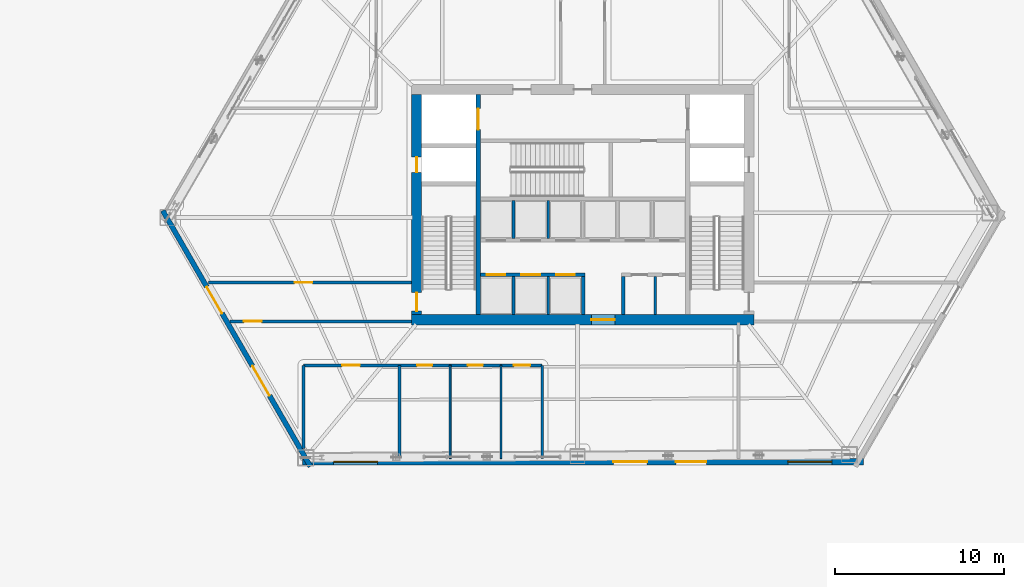
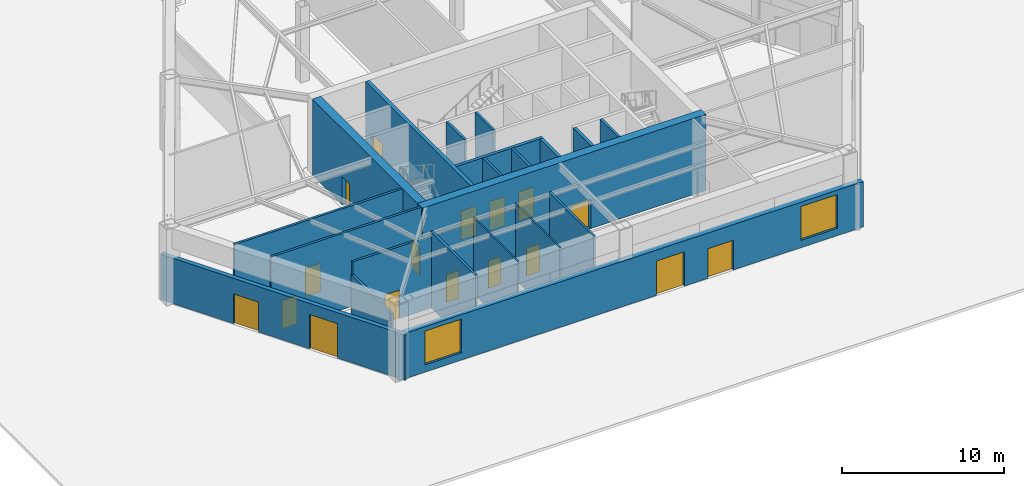
# One storey, part 14 of 20: 21 walls, 17 doors, 2 windows, 19 openings.
"""IFC4 building model written with IfcOpenShell, lengths in metres."""

from ifc_helpers import new_model, si_unit, direction, frame, frame_2d, origin, place, context, subcontext, project, spatial, rectangle, extrude, material, layer, layer_set, type_object, element, fill, save


model = new_model("IFC4")

# Units and contexts
model_context = context("Model", 3, precision=1e-05, world=origin(), true_north=direction((0.0, 1.0)))
body_context = subcontext(model_context, "Body", "Model", "MODEL_VIEW")
ifc_project = project(units=[si_unit("LENGTHUNIT", "METRE"), si_unit("AREAUNIT", "SQUARE_METRE"), si_unit("VOLUMEUNIT", "CUBIC_METRE"), si_unit("PLANEANGLEUNIT", "RADIAN"), si_unit("MASSUNIT", "GRAM", prefix="KILO")], contexts=[model_context])

# Site, building, storey
site_placement = place(None, origin())
site = spatial("IfcSite", under=ifc_project, at=site_placement, CompositionType="ELEMENT")
building_placement = place(site_placement, origin())
building = spatial("IfcBuilding", under=site, at=building_placement, Name="Kavelnor Concourse Tower", CompositionType="ELEMENT")
storey_placement = place(building_placement, origin())
storey = spatial("IfcBuildingStorey", under=building, at=storey_placement, Name="L00", CompositionType="ELEMENT", Elevation=0.0)

# Wall, opening, door
ifc_material_1 = material(Name="Concrete C60/75", Category="concrete")
ifc_layer_1 = layer(ifc_material_1, 0.60009765625, Name="Concrete C60/75")
ifc_layer_set_1 = layer_set([ifc_layer_1], Name="Concrete C60/75")
wall_type_1 = type_object("IfcWallType", Name="WL-CORE-Z1-600", PredefinedType="SOLIDWALL", material=ifc_layer_set_1)
wall_1_placement = place(storey_placement, frame((27.8798828125, 9.300048828125, 0.0), z_axis=(0.0, 0.0, 1.0), x_axis=(1.0, 0.0, 0.0)))
wall_1 = element("IfcWall", 1, at=wall_1_placement, inside=storey, type_object=wall_type_1, Name="L00 Central Core South Shear Wall", PredefinedType="SOLIDWALL", context=body_context, shape_type="SweptSolid", body=[
    extrude(rectangle(XDim=20.240234375, YDim=0.60009765625, at=frame_2d((10.1201171875, 0.0))), origin(), (0.0, 0.0, 1.0), 5.739990234375),
])
opening_1_placement = place(wall_1_placement, frame((10.6201171875, 0.0, 0.0)))
opening_1 = element("IfcOpeningElement", 2, at=opening_1_placement, cuts=wall_1, Name="Opening SD-140", PredefinedType="OPENING", context=body_context, shape_type="SweptSolid", body=[
    extrude(rectangle(XDim=1.39990234375, YDim=2.199951171875, at=frame_2d((0.699951171875, 1.10009765625))), frame((0.0, 0.31005859375, 0.0), z_axis=(0.0, -1.0, 0.0), x_axis=(1.0, 0.0, 0.0)), (0.0, 0.0, 1.0), 0.6201171875),
])
ifc_material_2 = material(Name="Solid-core hardwood timber", Category="wood")
door_type_1 = type_object("IfcDoorType", Name="DR-SUITE-ENTRY-1400", OperationType="NOTDEFINED", PredefinedType="DOOR", material=ifc_material_2)
door_1_placement = place(opening_1_placement, origin())
door_1 = element("IfcDoor", 3, at=door_1_placement, inside=storey, type_object=door_type_1, Name="L00 Passenger Lift Lobby Entry Door", OperationType="SINGLE_SWING_LEFT", OverallHeight=2.199951171875, OverallWidth=1.39990234375, PredefinedType="DOOR", context=body_context, shape_type="SweptSolid", body=[
    extrude(rectangle(XDim=1.39990234375, YDim=2.199951171875, at=frame_2d((0.699951171875, 1.10009765625))), frame((0.0, 0.02490234375, 0.0), z_axis=(0.0, -1.0, 0.0), x_axis=(1.0, 0.0, 0.0)), (0.0, 0.0, 1.0), 0.050048828125),
])
fill(opening_1, door_1)

# Wall, openings, doors
wall_2_placement = place(storey_placement, frame((28.179931640625, 9.60009765625, 0.0), z_axis=(0.0, 0.0, 1.0), x_axis=(0.0, 1.0, 0.0)))
wall_2 = element("IfcWall", 4, at=wall_2_placement, inside=storey, type_object=wall_type_1, Name="L00 Central Core West Shear Wall", PredefinedType="SOLIDWALL", context=body_context, shape_type="SweptSolid", body=[
    extrude(rectangle(XDim=13.0, YDim=0.60009765625, at=frame_2d((6.5, 0.0))), origin(), (0.0, 0.0, 1.0), 5.739990234375),
])
opening_2_placement = place(wall_2_placement, frame((8.39990234375, 0.0, 0.0)))
opening_2 = element("IfcOpeningElement", 5, at=opening_2_placement, cuts=wall_2, Name="Opening FD-090", PredefinedType="OPENING", context=body_context, shape_type="SweptSolid", body=[
    extrude(rectangle(XDim=0.89990234375, YDim=2.10009765625, at=frame_2d((0.449951171875, 1.050048828125))), frame((0.0, 0.31005859375, 0.0), z_axis=(0.0, -1.0, 0.0), x_axis=(1.0, 0.0, 0.0)), (0.0, 0.0, 1.0), 0.6201171875),
])
opening_3_placement = place(wall_2_placement, frame((0.199951171875, 0.0, 0.0)))
opening_3 = element("IfcOpeningElement", 6, at=opening_3_placement, cuts=wall_2, Name="Opening FD-110", PredefinedType="OPENING", context=body_context, shape_type="SweptSolid", body=[
    extrude(rectangle(XDim=1.10009765625, YDim=2.14990234375, at=frame_2d((0.550048828125, 1.074951171875))), frame((0.0, 0.31005859375, 0.0), z_axis=(0.0, -1.0, 0.0), x_axis=(1.0, 0.0, 0.0)), (0.0, 0.0, 1.0), 0.6201171875),
])
ifc_material_3 = material(Name="Steel Grade 350", Category="steel")
door_type_2 = type_object("IfcDoorType", Name="DR-RISER-FIRE-900", OperationType="NOTDEFINED", PredefinedType="DOOR", material=ifc_material_3)
door_2_placement = place(opening_2_placement, origin())
door_2 = element("IfcDoor", 7, at=door_2_placement, inside=storey, type_object=door_type_2, Name="L00 West Riser Access Door", OperationType="SINGLE_SWING_RIGHT", OverallHeight=2.10009765625, OverallWidth=0.89990234375, PredefinedType="DOOR", context=body_context, shape_type="SweptSolid", body=[
    extrude(rectangle(XDim=0.89990234375, YDim=2.10009765625, at=frame_2d((0.449951171875, 1.050048828125))), frame((0.0, 0.02490234375, 0.0), z_axis=(0.0, -1.0, 0.0), x_axis=(1.0, 0.0, 0.0)), (0.0, 0.0, 1.0), 0.050048828125),
])
fill(opening_2, door_2)
door_type_3 = type_object("IfcDoorType", Name="DR-STAIR-FIRE-1100", OperationType="NOTDEFINED", PredefinedType="DOOR", material=ifc_material_3)
door_3_placement = place(opening_3_placement, origin())
door_3 = element("IfcDoor", 8, at=door_3_placement, inside=storey, type_object=door_type_3, Name="L00 Stair ST1 Discharge Fire Door", OperationType="SINGLE_SWING_RIGHT", OverallHeight=2.14990234375, OverallWidth=1.10009765625, PredefinedType="DOOR", context=body_context, shape_type="SweptSolid", body=[
    extrude(rectangle(XDim=1.10009765625, YDim=2.14990234375, at=frame_2d((0.550048828125, 1.074951171875))), frame((0.0, 0.02490234375, 0.0), z_axis=(0.0, -1.0, 0.0), x_axis=(1.0, 0.0, 0.0)), (0.0, 0.0, 1.0), 0.050048828125),
])
fill(opening_3, door_3)

ifc_material_4 = material(Name="Buff ironspot clay face brick masonry", Category="masonry")
ifc_layer_2 = layer(ifc_material_4, 0.300048828125, Name="Buff ironspot clay face brick masonry")
ifc_layer_set_2 = layer_set([ifc_layer_2], Name="Buff ironspot clay face brick masonry")
wall_type_2 = type_object("IfcWallType", Name="WL-EXT-BUFF-BRICK-FOLD-300", PredefinedType="STANDARD", material=ifc_layer_set_2)
wall_3_placement = place(storey_placement, frame((21.90185546875, 0.6318359375, 0.0), z_axis=(0.0, 0.0, 1.0), x_axis=(-0.500005062714, 0.866022480806, 0.0)))
wall_3 = element("IfcWall", 9, at=wall_3_placement, inside=storey, type_object=wall_type_2, Name="L00 Exterior Brick Facade Wall E2", PredefinedType="STANDARD", context=body_context, shape_type="SweptSolid", body=[
    extrude(rectangle(XDim=17.448486328125, YDim=0.300048828125, at=frame_2d((8.72412109375, 0.0))), origin(), (0.0, 0.0, 1.0), 3.429931640625),
])
opening_4_placement = place(wall_3_placement, frame((10.442138671875, 0.0, 0.0)))
opening_4 = element("IfcOpeningElement", 10, at=opening_4_placement, cuts=wall_3, Name="Opening ED-EXIT", PredefinedType="OPENING", context=body_context, shape_type="SweptSolid", body=[
    extrude(rectangle(XDim=1.800048828125, YDim=2.25, at=frame_2d((0.89990234375, 1.125))), frame((0.0, 0.16015625, 0.0), z_axis=(0.0, -1.0, 0.0), x_axis=(1.0, 0.0, 0.0)), (0.0, 0.0, 1.0), 0.320068359375),
])
opening_5_placement = place(wall_3_placement, frame((4.836181640625, 0.0, 0.0)))
opening_5 = element("IfcOpeningElement", 11, at=opening_5_placement, cuts=wall_3, Name="Opening ED-MAIN", PredefinedType="OPENING", context=body_context, shape_type="SweptSolid", body=[
    extrude(rectangle(XDim=2.0, YDim=2.60009765625, at=frame_2d((1.0, 1.300048828125))), frame((0.0, 0.16015625, 0.0), z_axis=(0.0, -1.0, 0.0), x_axis=(1.0, 0.0, 0.0)), (0.0, 0.0, 1.0), 0.320068359375),
])
ifc_material_5 = material(Name="Double low-E argon insulated glazing", Category="glass")
door_type_4 = type_object("IfcDoorType", Name="DR-CONCOURSE-ENTRY", OperationType="NOTDEFINED", PredefinedType="DOOR", material=ifc_material_5)
door_4_placement = place(opening_5_placement, origin())
door_4 = element("IfcDoor", 12, at=door_4_placement, inside=storey, type_object=door_type_4, Name="L00 South-West Street Concourse Entrance", OperationType="DOUBLE_DOOR_SINGLE_SWING", OverallHeight=2.60009765625, OverallWidth=2.0, PredefinedType="DOOR", context=body_context, shape_type="SweptSolid", body=[
    extrude(rectangle(XDim=2.0, YDim=2.60009765625, at=frame_2d((1.0, 1.300048828125))), frame((0.0, 0.02490234375, 0.0), z_axis=(0.0, -1.0, 0.0), x_axis=(1.0, 0.0, 0.0)), (0.0, 0.0, 1.0), 0.050048828125),
])
fill(opening_5, door_4)
door_type_5 = type_object("IfcDoorType", Name="DR-FINAL-EXIT-1800", OperationType="NOTDEFINED", PredefinedType="DOOR", material=ifc_material_3)
door_5_placement = place(opening_4_placement, origin())
door_5 = element("IfcDoor", 13, at=door_5_placement, inside=storey, type_object=door_type_5, Name="L00 West Passage Final Exit Door", OperationType="DOUBLE_DOOR_SINGLE_SWING", OverallHeight=2.25, OverallWidth=1.800048828125, PredefinedType="DOOR", context=body_context, shape_type="SweptSolid", body=[
    extrude(rectangle(XDim=1.800048828125, YDim=2.25, at=frame_2d((0.89990234375, 1.125))), frame((0.0, 0.02490234375, 0.0), z_axis=(0.0, -1.0, 0.0), x_axis=(1.0, 0.0, 0.0)), (0.0, 0.0, 1.0), 0.050048828125),
])
fill(opening_4, door_5)

# Wall, openings, doors, windows
ifc_material_6 = material(Name="Red-ochre clay face brick masonry", Category="masonry")
ifc_layer_3 = layer(ifc_material_6, 0.3798828125, Name="Red-ochre clay face brick masonry")
ifc_layer_set_3 = layer_set([ifc_layer_3], Name="Red-ochre clay face brick masonry")
wall_type_3 = type_object("IfcWallType", Name="WL-EXT-RED-BRICK-PIER-380", PredefinedType="STANDARD", material=ifc_layer_set_3)
wall_4_placement = place(storey_placement, frame((54.580078125, 0.909912109375, 0.0), z_axis=(0.0, 0.0, 1.0), x_axis=(-1.0, 0.0, 0.0)))
wall_4 = element("IfcWall", 14, at=wall_4_placement, inside=storey, type_object=wall_type_3, Name="L00 Exterior Brick Facade Wall E3", PredefinedType="STANDARD", context=body_context, shape_type="SweptSolid", body=[
    extrude(rectangle(XDim=33.16015625, YDim=0.3798828125, at=frame_2d((16.580078125, 0.0))), origin(), (0.0, 0.0, 1.0), 3.429931640625),
])
opening_6_placement = place(wall_4_placement, frame((9.280029296875, 0.0, 0.0)))
opening_6 = element("IfcOpeningElement", 15, at=opening_6_placement, cuts=wall_4, Name="Opening ED-EXIT", PredefinedType="OPENING", context=body_context, shape_type="SweptSolid", body=[
    extrude(rectangle(XDim=1.800048828125, YDim=2.25, at=frame_2d((0.89990234375, 1.125))), frame((0.0, 0.199951171875, 0.0), z_axis=(0.0, -1.0, 0.0), x_axis=(1.0, 0.0, 0.0)), (0.0, 0.0, 1.0), 0.39990234375),
])
opening_7_placement = place(wall_4_placement, frame((12.780029296875, 0.0, 0.0)))
opening_7 = element("IfcOpeningElement", 16, at=opening_7_placement, cuts=wall_4, Name="Opening ED-MAIN", PredefinedType="OPENING", context=body_context, shape_type="SweptSolid", body=[
    extrude(rectangle(XDim=2.0, YDim=2.60009765625, at=frame_2d((1.0, 1.300048828125))), frame((0.0, 0.199951171875, 0.0), z_axis=(0.0, -1.0, 0.0), x_axis=(1.0, 0.0, 0.0)), (0.0, 0.0, 1.0), 0.39990234375),
])
opening_8_placement = place(wall_4_placement, frame((28.69921875, 0.0, 0.550048828125)))
opening_8 = element("IfcOpeningElement", 17, at=opening_8_placement, cuts=wall_4, Name="Opening W-09", PredefinedType="OPENING", context=body_context, shape_type="SweptSolid", body=[
    extrude(rectangle(XDim=2.60009765625, YDim=2.550048828125, at=frame_2d((1.300048828125, 1.27490234375))), frame((0.0, 0.199951171875, 0.0), z_axis=(0.0, -1.0, 0.0), x_axis=(1.0, 0.0, 0.0)), (0.0, 0.0, 1.0), 0.39990234375),
])
opening_9_placement = place(wall_4_placement, frame((1.86083984375, 0.0, 0.550048828125)))
opening_9 = element("IfcOpeningElement", 18, at=opening_9_placement, cuts=wall_4, Name="Opening W-09", PredefinedType="OPENING", context=body_context, shape_type="SweptSolid", body=[
    extrude(rectangle(XDim=2.60009765625, YDim=2.550048828125, at=frame_2d((1.300048828125, 1.27490234375))), frame((0.0, 0.199951171875, 0.0), z_axis=(0.0, -1.0, 0.0), x_axis=(1.0, 0.0, 0.0)), (0.0, 0.0, 1.0), 0.39990234375),
])
door_6_placement = place(opening_7_placement, origin())
door_6 = element("IfcDoor", 19, at=door_6_placement, inside=storey, type_object=door_type_4, Name="L00 South Plaza Concourse Main Entrance", OperationType="DOUBLE_DOOR_SINGLE_SWING", OverallHeight=2.60009765625, OverallWidth=2.0, PredefinedType="DOOR", context=body_context, shape_type="SweptSolid", body=[
    extrude(rectangle(XDim=2.0, YDim=2.60009765625, at=frame_2d((1.0, 1.300048828125))), frame((0.0, 0.02490234375, 0.0), z_axis=(0.0, -1.0, 0.0), x_axis=(1.0, 0.0, 0.0)), (0.0, 0.0, 1.0), 0.050048828125),
])
fill(opening_7, door_6)
door_7_placement = place(opening_6_placement, origin())
door_7 = element("IfcDoor", 20, at=door_7_placement, inside=storey, type_object=door_type_5, Name="L00 South Plaza Concourse Final Exit Door", OperationType="DOUBLE_DOOR_SINGLE_SWING", OverallHeight=2.25, OverallWidth=1.800048828125, PredefinedType="DOOR", context=body_context, shape_type="SweptSolid", body=[
    extrude(rectangle(XDim=1.800048828125, YDim=2.25, at=frame_2d((0.89990234375, 1.125))), frame((0.0, 0.02490234375, 0.0), z_axis=(0.0, -1.0, 0.0), x_axis=(1.0, 0.0, 0.0)), (0.0, 0.0, 1.0), 0.050048828125),
])
fill(opening_6, door_7)
window_type = type_object("IfcWindowType", Name="WIN-CONCOURSE-2600", PartitioningType="SINGLE_PANEL", PredefinedType="WINDOW", material=ifc_material_5)
window_1_placement = place(opening_8_placement, origin())
window_1 = element("IfcWindow", 21, at=window_1_placement, inside=storey, type_object=window_type, Name="L00 Concourse Deep-Set Window F1-B0", OverallHeight=2.550048828125, OverallWidth=2.60009765625, PartitioningType="SINGLE_PANEL", PredefinedType="WINDOW", context=body_context, shape_type="SweptSolid", body=[
    extrude(rectangle(XDim=2.60009765625, YDim=2.550048828125, at=frame_2d((1.300048828125, 1.27490234375))), frame((0.0, 0.030029296875, 0.0), z_axis=(0.0, -1.0, 0.0), x_axis=(1.0, 0.0, 0.0)), (0.0, 0.0, 1.0), 0.06005859375),
])
fill(opening_8, window_1)
window_2_placement = place(opening_9_placement, origin())
window_2 = element("IfcWindow", 22, at=window_2_placement, inside=storey, type_object=window_type, Name="L00 Concourse Deep-Set Window F1-B5", OverallHeight=2.550048828125, OverallWidth=2.60009765625, PartitioningType="SINGLE_PANEL", PredefinedType="WINDOW", context=body_context, shape_type="SweptSolid", body=[
    extrude(rectangle(XDim=2.60009765625, YDim=2.550048828125, at=frame_2d((1.300048828125, 1.27490234375))), frame((0.0, 0.030029296875, 0.0), z_axis=(0.0, -1.0, 0.0), x_axis=(1.0, 0.0, 0.0)), (0.0, 0.0, 1.0), 0.06005859375),
])
fill(opening_9, window_2)

# Walls
ifc_material_7 = material(Name="Gypsum plasterboard on light-gauge steel studs", Category="steel")
ifc_layer_4 = layer(ifc_material_7, 0.14501953125, Name="Gypsum plasterboard on light-gauge steel studs")
ifc_layer_set_4 = layer_set([ifc_layer_4], Name="Gypsum plasterboard on light-gauge steel studs")
wall_type_4 = type_object("IfcWallType", Name="WL-INT-CORR-145", PredefinedType="PARTITIONING", material=ifc_layer_set_4)
wall_5_placement = place(storey_placement, frame((35.60009765625, 1.0849609375, 0.0), z_axis=(0.0, 0.0, 1.0), x_axis=(0.0, 1.0, 0.0)))
element("IfcWall", 23, at=wall_5_placement, inside=storey, type_object=wall_type_4, Name="L00 Partition WL-L00-WCA-E", PredefinedType="PARTITIONING", context=body_context, shape_type="SweptSolid", body=[
    extrude(rectangle(XDim=5.51513671875, YDim=0.14501953125, at=frame_2d((2.757568359375, 0.0))), origin(), (0.0, 0.0, 1.0), 5.739990234375),
])
ifc_layer_5 = layer(ifc_material_7, 0.1650390625, Name="Gypsum plasterboard on light-gauge steel studs")
ifc_layer_set_5 = layer_set([ifc_layer_5], Name="Gypsum plasterboard on light-gauge steel studs")
wall_type_5 = type_object("IfcWallType", Name="WL-INT-FIRE-165", PredefinedType="PARTITIONING", material=ifc_layer_set_5)
for number, where, z_axis, x_axis, name in (
    (24, (33.89990234375, 9.60009765625, 0.0), (0.0, 0.0, 1.0), (0.0, 1.0, 0.0), "L00 Lift Shaft Divider LP7"),
    (25, (35.949951171875, 9.60009765625, 0.0), (0.0, 0.0, 1.0), (0.0, 1.0, 0.0), "L00 Lift Shaft Divider LP8"),
    (26, (33.89990234375, 14.10009765625, 0.0), (0.0, 0.0, 1.0), (0.0, 1.0, 0.0), "L00 Lift Shaft Divider LP1"),
    (27, (35.949951171875, 14.10009765625, 0.0), (0.0, 0.0, 1.0), (0.0, 1.0, 0.0), "L00 Lift Shaft Divider LP2"),
    (28, (42.280029296875, 9.60009765625, 0.0), (0.0, 0.0, 1.0), (0.0, 1.0, 0.0), "L00 Core Support Divider"),
):
    element("IfcWall", number, at=place(storey_placement, frame(where, z_axis=z_axis, x_axis=x_axis)), inside=storey, type_object=wall_type_5, Name=name, PredefinedType="PARTITIONING", context=body_context, shape_type="SweptSolid", body=[
        extrude(rectangle(XDim=2.239990234375, YDim=0.1650390625, at=frame_2d((1.1201171875, 0.0))), origin(), (0.0, 0.0, 1.0), 5.739990234375),
    ])

# Wall, opening, door
wall_6_placement = place(storey_placement, frame((27.8798828125, 9.199951171875, 0.0), z_axis=(0.0, 0.0, 1.0), x_axis=(-1.0, 0.0, 0.0)))
wall_6 = element("IfcWall", 29, at=wall_6_placement, inside=storey, type_object=wall_type_5, Name="L00 Fire Exit Passage Wall WL-L00-EXW-S", PredefinedType="PARTITIONING", context=body_context, shape_type="SweptSolid", body=[
    extrude(rectangle(XDim=10.722900390625, YDim=0.1650390625, at=frame_2d((5.361328125, 0.0))), origin(), (0.0, 0.0, 1.0), 5.739990234375),
])
opening_10_placement = place(wall_6_placement, frame((8.85498046875, 0.0, 0.0)))
opening_10 = element("IfcOpeningElement", 30, at=opening_10_placement, cuts=wall_6, Name="Opening FD-105", PredefinedType="OPENING", context=body_context, shape_type="SweptSolid", body=[
    extrude(rectangle(XDim=1.050048828125, YDim=2.14990234375, at=frame_2d((0.52490234375, 1.074951171875))), frame((0.0, 0.092529296875, 0.0), z_axis=(0.0, -1.0, 0.0), x_axis=(1.0, 0.0, 0.0)), (0.0, 0.0, 1.0), 0.18505859375),
])
door_type_6 = type_object("IfcDoorType", Name="DR-LOBBY-FIRE-1050", OperationType="NOTDEFINED", PredefinedType="DOOR", material=ifc_material_3)
door_8_placement = place(opening_10_placement, origin())
door_8 = element("IfcDoor", 31, at=door_8_placement, inside=storey, type_object=door_type_6, Name="L00 South Concourse Exit Passage Door", OperationType="SINGLE_SWING_LEFT", OverallHeight=2.14990234375, OverallWidth=1.050048828125, PredefinedType="DOOR", context=body_context, shape_type="SweptSolid", body=[
    extrude(rectangle(XDim=1.050048828125, YDim=2.14990234375, at=frame_2d((0.52490234375, 1.074951171875))), frame((0.0, 0.02490234375, 0.0), z_axis=(0.0, -1.0, 0.0), x_axis=(1.0, 0.0, 0.0)), (0.0, 0.0, 1.0), 0.050048828125),
])
fill(opening_10, door_8)

wall_7_placement = place(storey_placement, frame((15.86962890625, 11.5, 0.0), z_axis=(0.0, 0.0, 1.0), x_axis=(1.0, 0.0, 0.0)))
wall_7 = element("IfcWall", 32, at=wall_7_placement, inside=storey, type_object=wall_type_5, Name="L00 Fire Exit Passage Wall WL-L00-EXW-N", PredefinedType="PARTITIONING", context=body_context, shape_type="SweptSolid", body=[
    extrude(rectangle(XDim=12.01025390625, YDim=0.1650390625, at=frame_2d((6.005126953125, 0.0))), origin(), (0.0, 0.0, 1.0), 5.739990234375),
])
opening_11_placement = place(wall_7_placement, frame((5.10546875, 0.0, 0.0)))
opening_11 = element("IfcOpeningElement", 33, at=opening_11_placement, cuts=wall_7, Name="Opening FD-105", PredefinedType="OPENING", context=body_context, shape_type="SweptSolid", body=[
    extrude(rectangle(XDim=1.050048828125, YDim=2.14990234375, at=frame_2d((0.52490234375, 1.074951171875))), frame((0.0, 0.092529296875, 0.0), z_axis=(0.0, -1.0, 0.0), x_axis=(1.0, 0.0, 0.0)), (0.0, 0.0, 1.0), 0.18505859375),
])
door_9_placement = place(opening_11_placement, origin())
door_9 = element("IfcDoor", 34, at=door_9_placement, inside=storey, type_object=door_type_6, Name="L00 West Concourse Exit Passage Door", OperationType="SINGLE_SWING_RIGHT", OverallHeight=2.14990234375, OverallWidth=1.050048828125, PredefinedType="DOOR", context=body_context, shape_type="SweptSolid", body=[
    extrude(rectangle(XDim=1.050048828125, YDim=2.14990234375, at=frame_2d((0.52490234375, 1.074951171875))), frame((0.0, 0.02490234375, 0.0), z_axis=(0.0, -1.0, 0.0), x_axis=(1.0, 0.0, 0.0)), (0.0, 0.0, 1.0), 0.050048828125),
])
fill(opening_11, door_9)

# Wall, openings, doors
wall_8_placement = place(storey_placement, frame((21.5, 6.60009765625, 0.0), z_axis=(0.0, 0.0, 1.0), x_axis=(1.0, 0.0, 0.0)))
wall_8 = element("IfcWall", 35, at=wall_8_placement, inside=storey, type_object=wall_type_5, Name="L00 Partition WL-L00-SOUTH-BLK-N", PredefinedType="PARTITIONING", context=body_context, shape_type="SweptSolid", body=[
    extrude(rectangle(XDim=14.10009765625, YDim=0.1650390625, at=frame_2d((7.050048828125, 0.0))), origin(), (0.0, 0.0, 1.0), 5.427978515625),
])
opening_12_placement = place(wall_8_placement, frame((2.27490234375, 0.0, 0.0)))
opening_12 = element("IfcOpeningElement", 36, at=opening_12_placement, cuts=wall_8, Name="Opening FD-105", PredefinedType="OPENING", context=body_context, shape_type="SweptSolid", body=[
    extrude(rectangle(XDim=1.050048828125, YDim=2.14990234375, at=frame_2d((0.52490234375, 1.074951171875))), frame((0.0, 0.092529296875, 0.0), z_axis=(0.0, -1.0, 0.0), x_axis=(1.0, 0.0, 0.0)), (0.0, 0.0, 1.0), 0.18505859375),
])
opening_13_placement = place(wall_8_placement, frame((6.7099609375, 0.0, 0.0)))
opening_13 = element("IfcOpeningElement", 37, at=opening_13_placement, cuts=wall_8, Name="Opening WD-088", PredefinedType="OPENING", context=body_context, shape_type="SweptSolid", body=[
    extrude(rectangle(XDim=0.8798828125, YDim=2.10009765625, at=frame_2d((0.43994140625, 1.050048828125))), frame((0.0, 0.092529296875, 0.0), z_axis=(0.0, -1.0, 0.0), x_axis=(1.0, 0.0, 0.0)), (0.0, 0.0, 1.0), 0.18505859375),
])
opening_14_placement = place(wall_8_placement, frame((9.7099609375, 0.0, 0.0)))
opening_14 = element("IfcOpeningElement", 38, at=opening_14_placement, cuts=wall_8, Name="Opening WD-088", PredefinedType="OPENING", context=body_context, shape_type="SweptSolid", body=[
    extrude(rectangle(XDim=0.8798828125, YDim=2.10009765625, at=frame_2d((0.43994140625, 1.050048828125))), frame((0.0, 0.092529296875, 0.0), z_axis=(0.0, -1.0, 0.0), x_axis=(1.0, 0.0, 0.0)), (0.0, 0.0, 1.0), 0.18505859375),
])
opening_15_placement = place(wall_8_placement, frame((12.419921875, 0.0, 0.0)))
opening_15 = element("IfcOpeningElement", 39, at=opening_15_placement, cuts=wall_8, Name="Opening WD-096", PredefinedType="OPENING", context=body_context, shape_type="SweptSolid", body=[
    extrude(rectangle(XDim=0.9599609375, YDim=2.10009765625, at=frame_2d((0.47998046875, 1.050048828125))), frame((0.0, 0.092529296875, 0.0), z_axis=(0.0, -1.0, 0.0), x_axis=(1.0, 0.0, 0.0)), (0.0, 0.0, 1.0), 0.18505859375),
])
door_10_placement = place(opening_12_placement, origin())
door_10 = element("IfcDoor", 40, at=door_10_placement, inside=storey, type_object=door_type_6, Name="L00 Fire Control Room Door", OperationType="SINGLE_SWING_LEFT", OverallHeight=2.14990234375, OverallWidth=1.050048828125, PredefinedType="DOOR", context=body_context, shape_type="SweptSolid", body=[
    extrude(rectangle(XDim=1.050048828125, YDim=2.14990234375, at=frame_2d((0.52490234375, 1.074951171875))), frame((0.0, 0.02490234375, 0.0), z_axis=(0.0, -1.0, 0.0), x_axis=(1.0, 0.0, 0.0)), (0.0, 0.0, 1.0), 0.050048828125),
])
fill(opening_12, door_10)
door_type_7 = type_object("IfcDoorType", Name="DR-WC-ACC-960", OperationType="NOTDEFINED", PredefinedType="DOOR", material=ifc_material_2)
door_11_placement = place(opening_15_placement, origin())
door_11 = element("IfcDoor", 41, at=door_11_placement, inside=storey, type_object=door_type_7, Name="L00 Accessible WC Door", OperationType="SINGLE_SWING_RIGHT", OverallHeight=2.10009765625, OverallWidth=0.9599609375, PredefinedType="DOOR", context=body_context, shape_type="SweptSolid", body=[
    extrude(rectangle(XDim=0.9599609375, YDim=2.10009765625, at=frame_2d((0.47998046875, 1.050048828125))), frame((0.0, 0.02490234375, 0.0), z_axis=(0.0, -1.0, 0.0), x_axis=(1.0, 0.0, 0.0)), (0.0, 0.0, 1.0), 0.050048828125),
])
fill(opening_15, door_11)
door_type_8 = type_object("IfcDoorType", Name="DR-WC-STD-880", OperationType="NOTDEFINED", PredefinedType="DOOR", material=ifc_material_2)
door_12_placement = place(opening_13_placement, origin())
door_12 = element("IfcDoor", 42, at=door_12_placement, inside=storey, type_object=door_type_8, Name="L00 Male WC Door", OperationType="SINGLE_SWING_RIGHT", OverallHeight=2.10009765625, OverallWidth=0.8798828125, PredefinedType="DOOR", context=body_context, shape_type="SweptSolid", body=[
    extrude(rectangle(XDim=0.8798828125, YDim=2.10009765625, at=frame_2d((0.43994140625, 1.050048828125))), frame((0.0, 0.02490234375, 0.0), z_axis=(0.0, -1.0, 0.0), x_axis=(1.0, 0.0, 0.0)), (0.0, 0.0, 1.0), 0.050048828125),
])
fill(opening_13, door_12)
door_13_placement = place(opening_14_placement, origin())
door_13 = element("IfcDoor", 43, at=door_13_placement, inside=storey, type_object=door_type_8, Name="L00 Female WC Door", OperationType="SINGLE_SWING_LEFT", OverallHeight=2.10009765625, OverallWidth=0.8798828125, PredefinedType="DOOR", context=body_context, shape_type="SweptSolid", body=[
    extrude(rectangle(XDim=0.8798828125, YDim=2.10009765625, at=frame_2d((0.43994140625, 1.050048828125))), frame((0.0, 0.02490234375, 0.0), z_axis=(0.0, -1.0, 0.0), x_axis=(1.0, 0.0, 0.0)), (0.0, 0.0, 1.0), 0.050048828125),
])
fill(opening_14, door_13)

# Walls
wall_9_placement = place(storey_placement, frame((21.5, 1.677734375, 0.0), z_axis=(0.0, 0.0, 1.0), x_axis=(0.0, 1.0, 0.0)))
element("IfcWall", 44, at=wall_9_placement, inside=storey, type_object=wall_type_5, Name="L00 Partition WL-L00-FCR-W", PredefinedType="PARTITIONING", context=body_context, shape_type="SweptSolid", body=[
    extrude(rectangle(XDim=4.92236328125, YDim=0.1650390625, at=frame_2d((2.461181640625, 0.0))), origin(), (0.0, 0.0, 1.0), 4.47509765625),
])
wall_10_placement = place(storey_placement, frame((27.169921875, 1.0849609375, 0.0), z_axis=(0.0, 0.0, 1.0), x_axis=(0.0, 1.0, 0.0)))
element("IfcWall", 45, at=wall_10_placement, inside=storey, type_object=wall_type_5, Name="L00 Partition WL-L00-FCR-E", PredefinedType="PARTITIONING", context=body_context, shape_type="SweptSolid", body=[
    extrude(rectangle(XDim=5.51513671875, YDim=0.1650390625, at=frame_2d((2.757568359375, 0.0))), origin(), (0.0, 0.0, 1.0), 5.739990234375),
])
ifc_layer_6 = layer(ifc_material_7, 0.110107421875, Name="Gypsum plasterboard on light-gauge steel studs")
ifc_layer_set_6 = layer_set([ifc_layer_6], Name="Gypsum plasterboard on light-gauge steel studs")
wall_type_6 = type_object("IfcWallType", Name="WL-INT-WC-110", PredefinedType="PLUMBINGWALL", material=ifc_layer_set_6)
for number, where, z_axis, x_axis, name in (
    (46, (30.159912109375, 1.0849609375, 0.0), (0.0, 0.0, 1.0), (0.0, 1.0, 0.0), "L00 Partition WL-L00-WCM-E"),
    (47, (33.159912109375, 1.0849609375, 0.0), (0.0, 0.0, 1.0), (0.0, 1.0, 0.0), "L00 Partition WL-L00-WCF-E"),
):
    element("IfcWall", number, at=place(storey_placement, frame(where, z_axis=z_axis, x_axis=x_axis)), inside=storey, type_object=wall_type_6, Name=name, PredefinedType="PLUMBINGWALL", context=body_context, shape_type="SweptSolid", body=[
        extrude(rectangle(XDim=5.51513671875, YDim=0.110107421875, at=frame_2d((2.757568359375, 0.0))), origin(), (0.0, 0.0, 1.0), 5.739990234375),
    ])

# Wall, openings, doors
ifc_material_8 = material(Name="Concrete C50/60", Category="concrete")
ifc_layer_7 = layer(ifc_material_8, 0.219970703125, Name="Concrete C50/60")
ifc_layer_set_7 = layer_set([ifc_layer_7], Name="Concrete C50/60")
wall_type_7 = type_object("IfcWallType", Name="WL-SHAFT-220", PredefinedType="SOLIDWALL", material=ifc_layer_set_7)
wall_11_placement = place(storey_placement, frame((31.93994140625, 11.949951171875, 0.0), z_axis=(0.0, 0.0, 1.0), x_axis=(1.0, 0.0, 0.0)))
wall_11 = element("IfcWall", 48, at=wall_11_placement, inside=storey, type_object=wall_type_7, Name="L00 High-Rise Lift Bank North Wall", PredefinedType="SOLIDWALL", context=body_context, shape_type="SweptSolid", body=[
    extrude(rectangle(XDim=6.18994140625, YDim=0.219970703125, at=frame_2d((3.094970703125, 0.0))), origin(), (0.0, 0.0, 1.0), 5.739990234375),
])
opening_16_placement = place(wall_11_placement, frame((0.385009765625, 0.0, 0.0)))
opening_16 = element("IfcOpeningElement", 49, at=opening_16_placement, cuts=wall_11, Name="Opening LD-110", PredefinedType="OPENING", context=body_context, shape_type="SweptSolid", body=[
    extrude(rectangle(XDim=1.10009765625, YDim=2.199951171875, at=frame_2d((0.550048828125, 1.10009765625))), frame((0.0, 0.1201171875, 0.0), z_axis=(0.0, -1.0, 0.0), x_axis=(1.0, 0.0, 0.0)), (0.0, 0.0, 1.0), 0.239990234375),
])
opening_17_placement = place(wall_11_placement, frame((2.43505859375, 0.0, 0.0)))
opening_17 = element("IfcOpeningElement", 50, at=opening_17_placement, cuts=wall_11, Name="Opening LD-110", PredefinedType="OPENING", context=body_context, shape_type="SweptSolid", body=[
    extrude(rectangle(XDim=1.10009765625, YDim=2.199951171875, at=frame_2d((0.550048828125, 1.10009765625))), frame((0.0, 0.1201171875, 0.0), z_axis=(0.0, -1.0, 0.0), x_axis=(1.0, 0.0, 0.0)), (0.0, 0.0, 1.0), 0.239990234375),
])
opening_18_placement = place(wall_11_placement, frame((4.485107421875, 0.0, 0.0)))
opening_18 = element("IfcOpeningElement", 51, at=opening_18_placement, cuts=wall_11, Name="Opening LD-110", PredefinedType="OPENING", context=body_context, shape_type="SweptSolid", body=[
    extrude(rectangle(XDim=1.10009765625, YDim=2.199951171875, at=frame_2d((0.550048828125, 1.10009765625))), frame((0.0, 0.1201171875, 0.0), z_axis=(0.0, -1.0, 0.0), x_axis=(1.0, 0.0, 0.0)), (0.0, 0.0, 1.0), 0.239990234375),
])
door_type_9 = type_object("IfcDoorType", Name="DR-LIFT-SLIDING-1100", OperationType="NOTDEFINED", PredefinedType="DOOR", material=ifc_material_3)
door_14_placement = place(opening_16_placement, origin())
door_14 = element("IfcDoor", 52, at=door_14_placement, inside=storey, type_object=door_type_9, Name="L00 Lift LP7 Landing Door", OperationType="DOUBLE_DOOR_SLIDING", OverallHeight=2.199951171875, OverallWidth=1.10009765625, PredefinedType="DOOR", context=body_context, shape_type="SweptSolid", body=[
    extrude(rectangle(XDim=1.10009765625, YDim=2.199951171875, at=frame_2d((0.550048828125, 1.10009765625))), frame((0.0, 0.02490234375, 0.0), z_axis=(0.0, -1.0, 0.0), x_axis=(1.0, 0.0, 0.0)), (0.0, 0.0, 1.0), 0.050048828125),
])
fill(opening_16, door_14)
door_15_placement = place(opening_17_placement, origin())
door_15 = element("IfcDoor", 53, at=door_15_placement, inside=storey, type_object=door_type_9, Name="L00 Lift LP8 Landing Door", OperationType="DOUBLE_DOOR_SLIDING", OverallHeight=2.199951171875, OverallWidth=1.10009765625, PredefinedType="DOOR", context=body_context, shape_type="SweptSolid", body=[
    extrude(rectangle(XDim=1.10009765625, YDim=2.199951171875, at=frame_2d((0.550048828125, 1.10009765625))), frame((0.0, 0.02490234375, 0.0), z_axis=(0.0, -1.0, 0.0), x_axis=(1.0, 0.0, 0.0)), (0.0, 0.0, 1.0), 0.050048828125),
])
fill(opening_17, door_15)
door_16_placement = place(opening_18_placement, origin())
door_16 = element("IfcDoor", 54, at=door_16_placement, inside=storey, type_object=door_type_9, Name="L00 Lift LP9 Landing Door", OperationType="DOUBLE_DOOR_SLIDING", OverallHeight=2.199951171875, OverallWidth=1.10009765625, PredefinedType="DOOR", context=body_context, shape_type="SweptSolid", body=[
    extrude(rectangle(XDim=1.10009765625, YDim=2.199951171875, at=frame_2d((0.550048828125, 1.10009765625))), frame((0.0, 0.02490234375, 0.0), z_axis=(0.0, -1.0, 0.0), x_axis=(1.0, 0.0, 0.0)), (0.0, 0.0, 1.0), 0.050048828125),
])
fill(opening_18, door_16)

# Walls
for number, where, z_axis, x_axis, name in (
    (55, (38.02001953125, 9.60009765625, 0.0), (0.0, 0.0, 1.0), (0.0, 1.0, 0.0), "L00 Lift Lobby Throat West Wall"),
    (56, (40.389892578125, 9.60009765625, 0.0), (0.0, 0.0, 1.0), (0.0, 1.0, 0.0), "L00 Lift Lobby Throat East Wall"),
):
    element("IfcWall", number, at=place(storey_placement, frame(where, z_axis=z_axis, x_axis=x_axis)), inside=storey, type_object=wall_type_7, Name=name, PredefinedType="SOLIDWALL", context=body_context, shape_type="SweptSolid", body=[
        extrude(rectangle(XDim=2.239990234375, YDim=0.219970703125, at=frame_2d((1.1201171875, 0.0))), origin(), (0.0, 0.0, 1.0), 5.739990234375),
    ])

# Wall, opening, door
ifc_layer_8 = layer(ifc_material_8, 0.260009765625, Name="Concrete C50/60")
ifc_layer_set_8 = layer_set([ifc_layer_8], Name="Concrete C50/60")
wall_type_8 = type_object("IfcWallType", Name="WL-SHAFT-260", PredefinedType="SHEAR", material=ifc_layer_set_8)
wall_12_placement = place(storey_placement, frame((31.81005859375, 9.60009765625, 0.0), z_axis=(0.0, 0.0, 1.0), x_axis=(0.0, 1.0, 0.0)))
wall_12 = element("IfcWall", 57, at=wall_12_placement, inside=storey, type_object=wall_type_8, Name="L00 Core West Wing Shear Wall", PredefinedType="SHEAR", context=body_context, shape_type="SweptSolid", body=[
    extrude(rectangle(XDim=13.0, YDim=0.260009765625, at=frame_2d((6.5, 0.0))), origin(), (0.0, 0.0, 1.0), 5.739990234375),
])
opening_19_placement = place(wall_12_placement, frame((10.925048828125, 0.0, 0.0)))
opening_19 = element("IfcOpeningElement", 58, at=opening_19_placement, cuts=wall_12, Name="Opening LD-125", PredefinedType="OPENING", context=body_context, shape_type="SweptSolid", body=[
    extrude(rectangle(XDim=1.25, YDim=2.25, at=frame_2d((0.625, 1.125))), frame((0.0, 0.14013671875, 0.0), z_axis=(0.0, -1.0, 0.0), x_axis=(1.0, 0.0, 0.0)), (0.0, 0.0, 1.0), 0.280029296875),
])
door_type_10 = type_object("IfcDoorType", Name="DR-LIFT-SLIDING-1250", OperationType="NOTDEFINED", PredefinedType="DOOR", material=ifc_material_3)
door_17_placement = place(opening_19_placement, origin())
door_17 = element("IfcDoor", 59, at=door_17_placement, inside=storey, type_object=door_type_10, Name="L00 Emergency Lift FL1 Landing Door", OperationType="DOUBLE_DOOR_SLIDING", OverallHeight=2.25, OverallWidth=1.25, PredefinedType="DOOR", context=body_context, shape_type="SweptSolid", body=[
    extrude(rectangle(XDim=1.25, YDim=2.25, at=frame_2d((0.625, 1.125))), frame((0.0, 0.02490234375, 0.0), z_axis=(0.0, -1.0, 0.0), x_axis=(1.0, 0.0, 0.0)), (0.0, 0.0, 1.0), 0.050048828125),
])
fill(opening_19, door_17)

save(model, "model.ifc")
